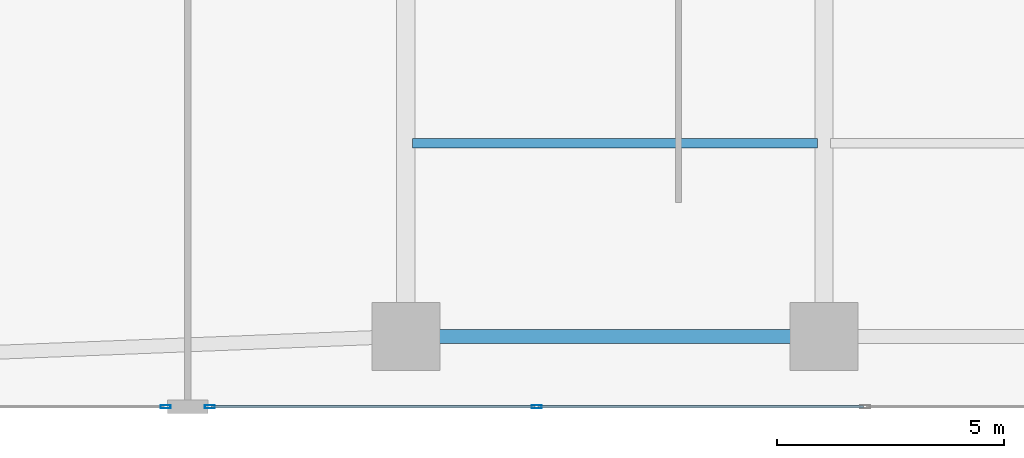
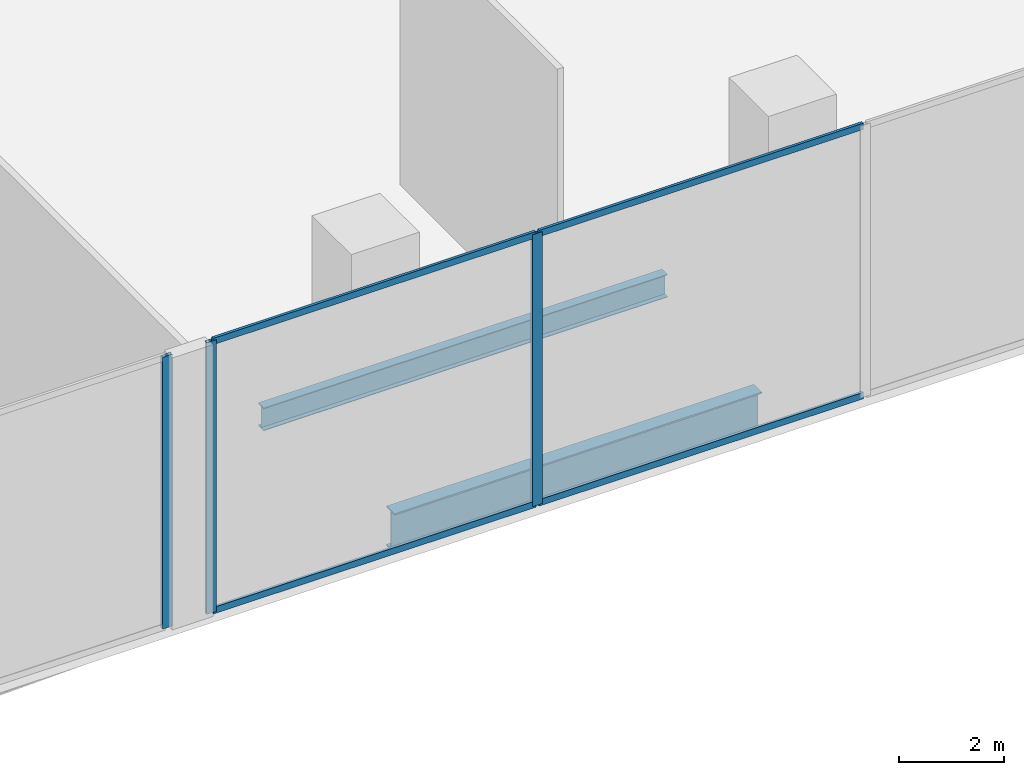
# One storey, part 4 of 30: 7 members, 2 beams, 2 elements without a shape of their own.
"""IFC4 building model written with IfcOpenShell, lengths in metres."""

from ifc_helpers import new_model, si_unit, direction, frame, origin, origin_2d, place, context, subcontext, project, spatial, hollow_rectangle, i_section, extrude, material, layer, layer_set, material_profile, profile_set, type_object, element, aggregate, save


model = new_model("IFC4")

# Units and contexts
model_context = context("Model", 3, precision=1e-05, world=origin(), true_north=direction((0.0, 1.0)))
body_context = subcontext(model_context, "Body", "Model", "MODEL_VIEW")
ifc_project = project(units=[si_unit("LENGTHUNIT", "METRE"), si_unit("AREAUNIT", "SQUARE_METRE"), si_unit("VOLUMEUNIT", "CUBIC_METRE"), si_unit("PLANEANGLEUNIT", "RADIAN"), si_unit("MASSUNIT", "GRAM", prefix="KILO")], contexts=[model_context])

# Site, building, storey
site_placement = place(None, origin())
site = spatial("IfcSite", under=ifc_project, at=site_placement, CompositionType="ELEMENT")
building_placement = place(site_placement, origin())
building = spatial("IfcBuilding", under=site, at=building_placement, Name="Zuhayl Quay Hotel", CompositionType="ELEMENT")
storey_placement = place(building_placement, frame((0.0, 0.0, 11.39990234375)))
storey = spatial("IfcBuildingStorey", under=building, at=storey_placement, Name="L02", CompositionType="ELEMENT", Elevation=11.39990234375)

# Beams
ifc_material_1 = material(Name="Steel ASTM A992 Grade 50", Category="steel")
ifc_material_profile_1 = material_profile(ifc_material_1, i_section(OverallWidth=0.208984375, OverallDepth=0.532958984375, WebThickness=0.01025390625, FlangeThickness=0.015625, at=origin_2d()), Name="W21X62")
ifc_profile_set_1 = profile_set([ifc_material_profile_1], Name="Steel ASTM A992 Grade 50")
beam_type_1 = type_object("IfcBeamType", Name="BM_J1_W21X62", PredefinedType="JOIST", material=ifc_profile_set_1)
beam_1_placement = place(storey_placement, frame((-13.654541015625, -18.199951171875, -0.5263671875), z_axis=(1.0, 0.0, 0.0), x_axis=(0.0, 1.0, 0.0)))
element("IfcBeam", 1, at=beam_1_placement, inside=storey, type_object=beam_type_1, Name="L02 Floor Beam J_POD_L02_1_1", PredefinedType="JOIST", context=body_context, shape_type="SweptSolid", body=[
    extrude(i_section(OverallWidth=0.208984375, OverallDepth=0.532958984375, WebThickness=0.01025390625, FlangeThickness=0.015625, at=origin_2d()), origin(), (0.0, 0.0, 1.0), 8.908935546875),
])
ifc_material_profile_2 = material_profile(ifc_material_1, i_section(OverallWidth=0.306884765625, OverallDepth=0.927001953125, WebThickness=0.019287109375, FlangeThickness=0.031982421875, at=origin_2d()), Name="W36X194")
ifc_profile_set_2 = profile_set([ifc_material_profile_2], Name="Steel ASTM A992 Grade 50")
beam_type_2 = type_object("IfcBeamType", Name="BM_PG2_W36X194", PredefinedType="BEAM", material=ifc_profile_set_2)
beam_2_placement = place(storey_placement, frame((-13.25, -22.449951171875, -0.723388671875), z_axis=(1.0, 0.0, 0.0), x_axis=(0.0, 1.0, 0.0)))
element("IfcBeam", 2, at=beam_2_placement, inside=storey, type_object=beam_type_2, Name="L02 Floor Beam PG_S_L02_1", PredefinedType="BEAM", context=body_context, shape_type="SweptSolid", body=[
    extrude(i_section(OverallWidth=0.306884765625, OverallDepth=0.927001953125, WebThickness=0.019287109375, FlangeThickness=0.031982421875, at=origin_2d()), origin(), (0.0, 0.0, 1.0), 8.10009765625),
])

# Curtain wall, members
ifc_material_2 = material(Name="Anodised Aluminium 6063-T6", Category="aluminium")
ifc_layer = layer(ifc_material_2, 0.199951171875, Name="Anodised Aluminium 6063-T6", Category="aluminium")
ifc_layer_set = layer_set([ifc_layer], Name="Anodised Aluminium 6063-T6")
curtain_wall_type = type_object("IfcCurtainWallType", Name="CW_SYS_POD", PredefinedType="USERDEFINED", material=ifc_layer_set)
curtain_wall_1_placement = place(storey_placement, origin())
curtain_wall_1 = element("IfcCurtainWall", 3, at=curtain_wall_1_placement, inside=storey, type_object=curtain_wall_type, Name="L02 Curtain Wall ENV_L02_E11_CW2", ObjectType="UNITISED CURTAIN WALL", PredefinedType="USERDEFINED")
ifc_material_3 = material(Name="Black-anodised aluminium 6063-T6", Category="aluminium")
ifc_material_profile_3 = material_profile(ifc_material_3, hollow_rectangle(XDim=0.074951171875, YDim=0.219970703125, WallThickness=0.00390625, at=origin_2d()), Name="ALU220X75")
ifc_profile_set_3 = profile_set([ifc_material_profile_3], Name="Black-anodised aluminium 6063-T6")
member_type_1 = type_object("IfcMemberType", Name="MB_CW_MUL_220", PredefinedType="MULLION", material=ifc_profile_set_3)
member_1_placement = place(storey_placement, frame((-10.922119140625, -24.0, 0.0), z_axis=(0.0, 0.0, 1.0), x_axis=(0.0, -1.0, 0.0)))
member_1 = element("IfcMember", 4, at=member_1_placement, type_object=member_type_1, Name="CW-POD mullion 5", PredefinedType="MULLION", context=body_context, shape_type="SweptSolid", body=[
    extrude(hollow_rectangle(XDim=0.074951171875, YDim=0.219970703125, WallThickness=0.00390625, at=origin_2d()), origin(), (0.0, 0.0, 1.0), 6.340087890625),
])
member_2_placement = place(storey_placement, frame((-18.112548828125, -24.0, 0.0), z_axis=(0.0, 0.0, 1.0), x_axis=(0.0, -1.0, 0.0)))
member_2 = element("IfcMember", 5, at=member_2_placement, type_object=member_type_1, Name="CW-POD mullion 6", PredefinedType="MULLION", context=body_context, shape_type="SweptSolid", body=[
    extrude(hollow_rectangle(XDim=0.074951171875, YDim=0.219970703125, WallThickness=0.00390625, at=origin_2d()), origin(), (0.0, 0.0, 1.0), 6.340087890625),
])

# Curtain wall, member
curtain_wall_2_placement = place(storey_placement, origin())
curtain_wall_2 = element("IfcCurtainWall", 6, at=curtain_wall_2_placement, inside=storey, type_object=curtain_wall_type, Name="L02 Curtain Wall ENV_L02_E11_CW3", ObjectType="UNITISED CURTAIN WALL", PredefinedType="USERDEFINED")
member_3_placement = place(storey_placement, frame((-19.08740234375, -24.0, 0.0), z_axis=(0.0, 0.0, 1.0), x_axis=(0.0, -1.0, 0.0)))
member_3 = element("IfcMember", 7, at=member_3_placement, type_object=member_type_1, Name="CW-POD mullion 1", PredefinedType="MULLION", context=body_context, shape_type="SweptSolid", body=[
    extrude(hollow_rectangle(XDim=0.074951171875, YDim=0.219970703125, WallThickness=0.00390625, at=origin_2d()), origin(), (0.0, 0.0, 1.0), 6.340087890625),
])
aggregate(curtain_wall_2, [member_3])

# Member
ifc_material_profile_4 = material_profile(ifc_material_3, hollow_rectangle(XDim=0.06005859375, YDim=0.14990234375, WallThickness=0.00341796875, at=origin_2d()), Name="ALU150X60")
ifc_profile_set_4 = profile_set([ifc_material_profile_4], Name="Black-anodised aluminium 6063-T6")
member_type_2 = type_object("IfcMemberType", Name="MB_CW_TRN_150", PredefinedType="USERDEFINED", material=ifc_profile_set_4)
member_4_placement = place(storey_placement, frame((-3.7314453125, -24.0, 0.030029296875), z_axis=(-1.0, 0.0, 0.0), x_axis=(0.0, -1.0, 0.0)))
member_4 = element("IfcMember", 8, at=member_4_placement, type_object=member_type_2, Name="CW-POD transom 4.1", ObjectType="TRANSOM", PredefinedType="USERDEFINED", context=body_context, shape_type="SweptSolid", body=[
    extrude(hollow_rectangle(XDim=0.06005859375, YDim=0.14990234375, WallThickness=0.00341796875, at=origin_2d()), origin(), (0.0, 0.0, 1.0), 7.153076171875),
])

member_5_placement = place(storey_placement, frame((-3.7314453125, -24.0, 6.31005859375), z_axis=(-1.0, 0.0, 0.0), x_axis=(0.0, -1.0, 0.0)))
member_5 = element("IfcMember", 9, at=member_5_placement, type_object=member_type_2, Name="CW-POD transom 4.2", ObjectType="TRANSOM", PredefinedType="USERDEFINED", context=body_context, shape_type="SweptSolid", body=[
    extrude(hollow_rectangle(XDim=0.06005859375, YDim=0.14990234375, WallThickness=0.00341796875, at=origin_2d()), origin(), (0.0, 0.0, 1.0), 7.153076171875),
])

member_6_placement = place(storey_placement, frame((-10.95947265625, -24.0, 0.030029296875), z_axis=(-1.0, 0.0, 0.0), x_axis=(0.0, -1.0, 0.0)))
member_6 = element("IfcMember", 10, at=member_6_placement, type_object=member_type_2, Name="CW-POD transom 5.1", ObjectType="TRANSOM", PredefinedType="USERDEFINED", context=body_context, shape_type="SweptSolid", body=[
    extrude(hollow_rectangle(XDim=0.06005859375, YDim=0.14990234375, WallThickness=0.00341796875, at=origin_2d()), origin(), (0.0, 0.0, 1.0), 7.115478515625),
])

member_7_placement = place(storey_placement, frame((-10.95947265625, -24.0, 6.31005859375), z_axis=(-1.0, 0.0, 0.0), x_axis=(0.0, -1.0, 0.0)))
member_7 = element("IfcMember", 11, at=member_7_placement, type_object=member_type_2, Name="CW-POD transom 5.2", ObjectType="TRANSOM", PredefinedType="USERDEFINED", context=body_context, shape_type="SweptSolid", body=[
    extrude(hollow_rectangle(XDim=0.06005859375, YDim=0.14990234375, WallThickness=0.00341796875, at=origin_2d()), origin(), (0.0, 0.0, 1.0), 7.115478515625),
])

aggregate(curtain_wall_1, [member_1, member_2, member_4, member_5, member_6, member_7])

save(model, "model.ifc")
